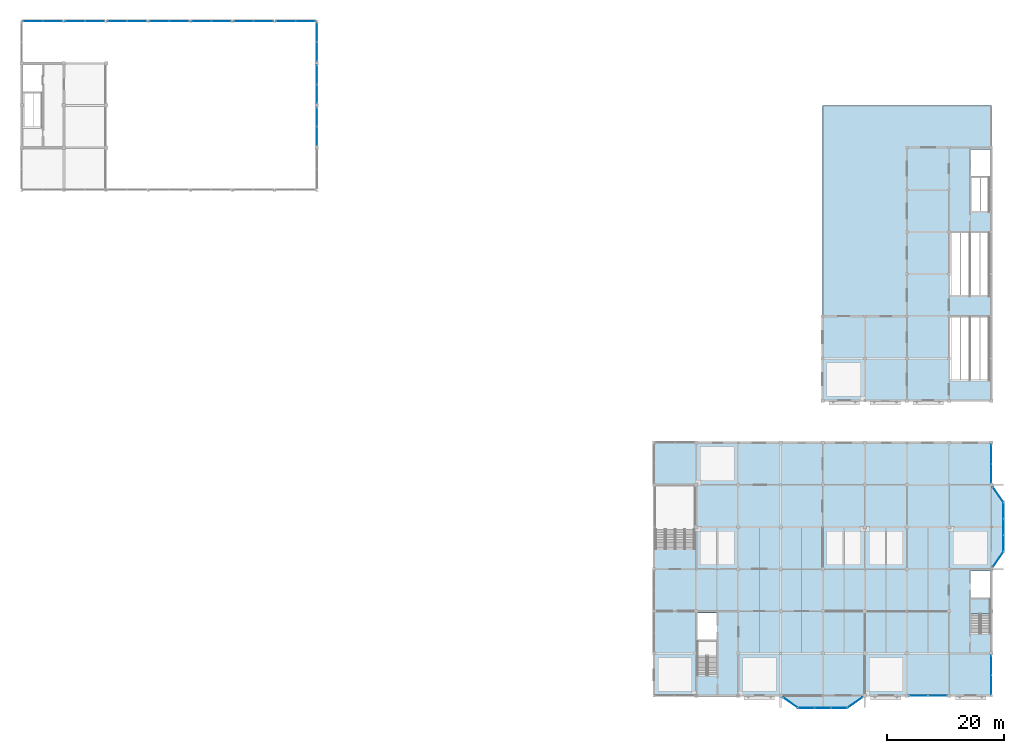
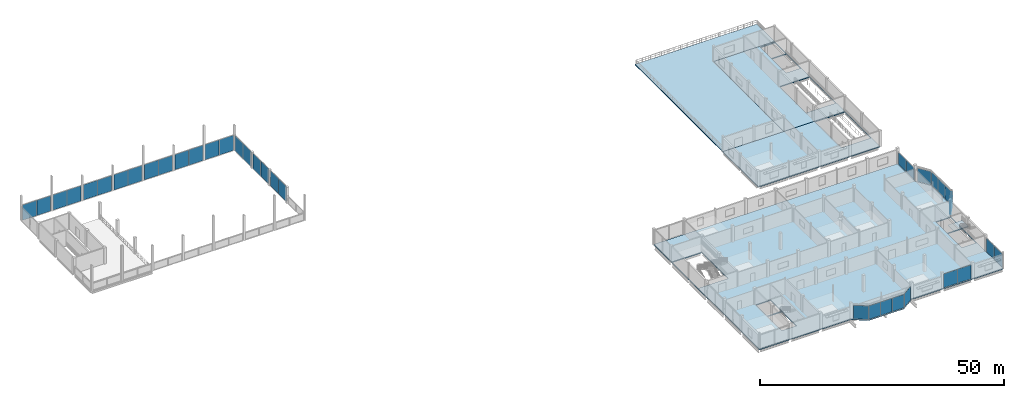
# One storey, part 34 of 51: 36 plates, 5 slabs, 20 elements without a shape of their own.
"""IFC4 building model written with IfcOpenShell, lengths in metres."""

from ifc_helpers import new_model, si_unit, direction, frame, origin, origin_2d, place, context, subcontext, project, spatial, polyline, rectangle, outline, extrude, material, layer, layer_set, type_object, element, aggregate, save


model = new_model("IFC4")

# Units and contexts
model_context = context("Model", 3, precision=1e-05, world=origin(), true_north=direction((0.0, 1.0)))
body_context = subcontext(model_context, "Body", "Model", "MODEL_VIEW")
ifc_project = project(units=[si_unit("LENGTHUNIT", "METRE"), si_unit("AREAUNIT", "SQUARE_METRE"), si_unit("VOLUMEUNIT", "CUBIC_METRE"), si_unit("PLANEANGLEUNIT", "RADIAN"), si_unit("MASSUNIT", "GRAM", prefix="KILO")], contexts=[model_context])

# Site, building, storey
site_placement = place(None, origin())
site = spatial("IfcSite", under=ifc_project, at=site_placement, CompositionType="ELEMENT")
building_placement = place(site_placement, origin())
building = spatial("IfcBuilding", under=site, at=building_placement, Name="Vesperath Aquatics Centre", CompositionType="ELEMENT")
storey_placement = place(building_placement, frame((0.0, 0.0, 15.0)))
storey = spatial("IfcBuildingStorey", under=building, at=storey_placement, Name="L03", CompositionType="ELEMENT", Elevation=15.0)

# Curtain wall, plate
ifc_material_1 = material(Name="Thermally broken anodised bronze aluminium curtain wall", Category="aluminium")
curtain_wall_type_1 = type_object("IfcCurtainWallType", Name="CW-03", PredefinedType="NOTDEFINED", material=ifc_material_1)
curtain_wall_1_placement = place(storey_placement, origin())
curtain_wall_1 = element("IfcCurtainWall", 1, at=curtain_wall_1_placement, inside=storey, type_object=curtain_wall_type_1, Name="South Boulevard Bow Oriel Curtain Wall L03-W", PredefinedType="NOTDEFINED")
ifc_material_2 = material(Name="Triple low-E argon insulated vision glass", Category="glass")
ifc_layer_1 = layer(ifc_material_2, 0.035888671875)
ifc_layer_set_1 = layer_set([ifc_layer_1], Name="Triple low-E argon insulated vision glass")
plate_type_1 = type_object("IfcPlateType", Name="PT-CWP03", PredefinedType="CURTAIN_PANEL", material=ifc_layer_set_1)
plate_1_placement = place(storey_placement, frame((138.489990234375, -1.18310546875, 0.06982421875), z_axis=(0.0, 0.0, 1.0), x_axis=(0.819231920515, -0.57346234437, 0.0)))
plate_1 = element("IfcPlate", 2, at=plate_1_placement, type_object=plate_type_1, Name="CW03 panel 1.1", PredefinedType="CURTAIN_PANEL", context=body_context, shape_type="SweptSolid", body=[
    extrude(rectangle(XDim=3.05810546875, YDim=0.035888671875, at=origin_2d()), origin(), (0.0, 0.0, 1.0), 3.3701171875),
])
aggregate(curtain_wall_1, [plate_1])

# Curtain wall, plates
curtain_wall_2_placement = place(storey_placement, origin())
curtain_wall_2 = element("IfcCurtainWall", 3, at=curtain_wall_2_placement, inside=storey, type_object=curtain_wall_type_1, Name="South Boulevard Bow Oriel Curtain Wall L03-C", PredefinedType="NOTDEFINED")
plate_2_placement = place(storey_placement, frame((141.217529296875, -2.10009765625, 0.06982421875), z_axis=(0.0, 0.0, 1.0), x_axis=(1.0, 0.0, 0.0)))
plate_2 = element("IfcPlate", 4, at=plate_2_placement, type_object=plate_type_1, Name="CW03 panel 1.1", PredefinedType="CURTAIN_PANEL", context=body_context, shape_type="SweptSolid", body=[
    extrude(rectangle(XDim=2.695068359375, YDim=0.035888671875, at=origin_2d()), origin(), (0.0, 0.0, 1.0), 3.3701171875),
])
plate_3_placement = place(storey_placement, frame((144.0, -2.10009765625, 0.06982421875), z_axis=(0.0, 0.0, 1.0), x_axis=(1.0, 0.0, 0.0)))
plate_3 = element("IfcPlate", 5, at=plate_3_placement, type_object=plate_type_1, Name="CW03 panel 2.1", PredefinedType="CURTAIN_PANEL", context=body_context, shape_type="SweptSolid", body=[
    extrude(rectangle(XDim=2.72998046875, YDim=0.035888671875, at=origin_2d()), origin(), (0.0, 0.0, 1.0), 3.3701171875),
])
plate_4_placement = place(storey_placement, frame((146.782470703125, -2.10009765625, 0.06982421875), z_axis=(0.0, 0.0, 1.0), x_axis=(1.0, 0.0, 0.0)))
plate_4 = element("IfcPlate", 6, at=plate_4_placement, type_object=plate_type_1, Name="CW03 panel 3.1", PredefinedType="CURTAIN_PANEL", context=body_context, shape_type="SweptSolid", body=[
    extrude(rectangle(XDim=2.695068359375, YDim=0.035888671875, at=origin_2d()), origin(), (0.0, 0.0, 1.0), 3.3701171875),
])
aggregate(curtain_wall_2, [plate_2, plate_3, plate_4])

# Curtain wall, plate
curtain_wall_3_placement = place(storey_placement, origin())
curtain_wall_3 = element("IfcCurtainWall", 7, at=curtain_wall_3_placement, inside=storey, type_object=curtain_wall_type_1, Name="South Boulevard Bow Oriel Curtain Wall L03-E", PredefinedType="NOTDEFINED")
plate_5_placement = place(storey_placement, frame((149.510009765625, -1.18310546875, 0.06982421875), z_axis=(0.0, 0.0, 1.0), x_axis=(0.819231920515, 0.57346234437, 0.0)))
plate_5 = element("IfcPlate", 8, at=plate_5_placement, type_object=plate_type_1, Name="CW03 panel 1.1", PredefinedType="CURTAIN_PANEL", context=body_context, shape_type="SweptSolid", body=[
    extrude(rectangle(XDim=3.05810546875, YDim=0.035888671875, at=origin_2d()), origin(), (0.0, 0.0, 1.0), 3.3701171875),
])
aggregate(curtain_wall_3, [plate_5])

# Curtain wall, plates
curtain_wall_type_2 = type_object("IfcCurtainWallType", Name="CW-04", PredefinedType="NOTDEFINED", material=ifc_material_1)
curtain_wall_4_placement = place(storey_placement, origin())
curtain_wall_4 = element("IfcCurtainWall", 9, at=curtain_wall_4_placement, inside=storey, type_object=curtain_wall_type_2, Name="Facade Curtain Wall CW04 L03_N_01_16", PredefinedType="NOTDEFINED")
ifc_layer_2 = layer(ifc_material_2, 0.0380859375)
ifc_layer_set_2 = layer_set([ifc_layer_2], Name="Triple low-E argon insulated vision glass")
plate_type_2 = type_object("IfcPlateType", Name="PT-CWP04", PredefinedType="CURTAIN_PANEL", material=ifc_layer_set_2)
plate_6_placement = place(storey_placement, frame((9.117431640625, 115.199951171875, 0.06982421875), z_axis=(0.0, 0.0, 1.0), x_axis=(1.0, 0.0, 0.0)))
plate_6 = element("IfcPlate", 10, at=plate_6_placement, type_object=plate_type_2, Name="CW04 panel 1.1", PredefinedType="CURTAIN_PANEL", context=body_context, shape_type="SweptSolid", body=[
    extrude(rectangle(XDim=3.294921875, YDim=0.0380859375, at=origin_2d()), origin(), (0.0, 0.0, 1.0), 3.820068359375),
])
plate_7_placement = place(storey_placement, frame((12.482421875, 115.199951171875, 0.06982421875), z_axis=(0.0, 0.0, 1.0), x_axis=(1.0, 0.0, 0.0)))
plate_7 = element("IfcPlate", 11, at=plate_7_placement, type_object=plate_type_2, Name="CW04 panel 2.1", PredefinedType="CURTAIN_PANEL", context=body_context, shape_type="SweptSolid", body=[
    extrude(rectangle(XDim=3.294921875, YDim=0.0380859375, at=origin_2d()), origin(), (0.0, 0.0, 1.0), 3.820068359375),
])
aggregate(curtain_wall_4, [plate_6, plate_7])

curtain_wall_5_placement = place(storey_placement, origin())
curtain_wall_5 = element("IfcCurtainWall", 12, at=curtain_wall_5_placement, inside=storey, type_object=curtain_wall_type_2, Name="Facade Curtain Wall CW04 L03_N_02_16", PredefinedType="NOTDEFINED")
plate_8_placement = place(storey_placement, frame((16.3173828125, 115.199951171875, 0.06982421875), z_axis=(0.0, 0.0, 1.0), x_axis=(1.0, 0.0, 0.0)))
plate_8 = element("IfcPlate", 13, at=plate_8_placement, type_object=plate_type_2, Name="CW04 panel 1.1", PredefinedType="CURTAIN_PANEL", context=body_context, shape_type="SweptSolid", body=[
    extrude(rectangle(XDim=3.294921875, YDim=0.0380859375, at=origin_2d()), origin(), (0.0, 0.0, 1.0), 3.820068359375),
])
plate_9_placement = place(storey_placement, frame((19.6826171875, 115.199951171875, 0.06982421875), z_axis=(0.0, 0.0, 1.0), x_axis=(1.0, 0.0, 0.0)))
plate_9 = element("IfcPlate", 14, at=plate_9_placement, type_object=plate_type_2, Name="CW04 panel 2.1", PredefinedType="CURTAIN_PANEL", context=body_context, shape_type="SweptSolid", body=[
    extrude(rectangle(XDim=3.294921875, YDim=0.0380859375, at=origin_2d()), origin(), (0.0, 0.0, 1.0), 3.820068359375),
])
aggregate(curtain_wall_5, [plate_8, plate_9])

curtain_wall_6_placement = place(storey_placement, origin())
curtain_wall_6 = element("IfcCurtainWall", 15, at=curtain_wall_6_placement, inside=storey, type_object=curtain_wall_type_2, Name="Facade Curtain Wall CW04 L03_N_03_16", PredefinedType="NOTDEFINED")
plate_10_placement = place(storey_placement, frame((23.517578125, 115.199951171875, 0.06982421875), z_axis=(0.0, 0.0, 1.0), x_axis=(1.0, 0.0, 0.0)))
plate_10 = element("IfcPlate", 16, at=plate_10_placement, type_object=plate_type_2, Name="CW04 panel 1.1", PredefinedType="CURTAIN_PANEL", context=body_context, shape_type="SweptSolid", body=[
    extrude(rectangle(XDim=3.294921875, YDim=0.0380859375, at=origin_2d()), origin(), (0.0, 0.0, 1.0), 3.820068359375),
])
plate_11_placement = place(storey_placement, frame((26.882568359375, 115.199951171875, 0.06982421875), z_axis=(0.0, 0.0, 1.0), x_axis=(1.0, 0.0, 0.0)))
plate_11 = element("IfcPlate", 17, at=plate_11_placement, type_object=plate_type_2, Name="CW04 panel 2.1", PredefinedType="CURTAIN_PANEL", context=body_context, shape_type="SweptSolid", body=[
    extrude(rectangle(XDim=3.294921875, YDim=0.0380859375, at=origin_2d()), origin(), (0.0, 0.0, 1.0), 3.820068359375),
])
aggregate(curtain_wall_6, [plate_10, plate_11])

curtain_wall_7_placement = place(storey_placement, origin())
curtain_wall_7 = element("IfcCurtainWall", 18, at=curtain_wall_7_placement, inside=storey, type_object=curtain_wall_type_2, Name="Facade Curtain Wall CW04 L03_N_04_16", PredefinedType="NOTDEFINED")
plate_12_placement = place(storey_placement, frame((30.717529296875, 115.199951171875, 0.06982421875), z_axis=(0.0, 0.0, 1.0), x_axis=(1.0, 0.0, 0.0)))
plate_12 = element("IfcPlate", 19, at=plate_12_placement, type_object=plate_type_2, Name="CW04 panel 1.1", PredefinedType="CURTAIN_PANEL", context=body_context, shape_type="SweptSolid", body=[
    extrude(rectangle(XDim=3.294921875, YDim=0.0380859375, at=origin_2d()), origin(), (0.0, 0.0, 1.0), 3.820068359375),
])
plate_13_placement = place(storey_placement, frame((34.08251953125, 115.199951171875, 0.06982421875), z_axis=(0.0, 0.0, 1.0), x_axis=(1.0, 0.0, 0.0)))
plate_13 = element("IfcPlate", 20, at=plate_13_placement, type_object=plate_type_2, Name="CW04 panel 2.1", PredefinedType="CURTAIN_PANEL", context=body_context, shape_type="SweptSolid", body=[
    extrude(rectangle(XDim=3.294921875, YDim=0.0380859375, at=origin_2d()), origin(), (0.0, 0.0, 1.0), 3.820068359375),
])
aggregate(curtain_wall_7, [plate_12, plate_13])

curtain_wall_8_placement = place(storey_placement, origin())
curtain_wall_8 = element("IfcCurtainWall", 21, at=curtain_wall_8_placement, inside=storey, type_object=curtain_wall_type_2, Name="Facade Curtain Wall CW04 L03_N_05_16", PredefinedType="NOTDEFINED")
plate_14_placement = place(storey_placement, frame((37.91748046875, 115.199951171875, 0.06982421875), z_axis=(0.0, 0.0, 1.0), x_axis=(1.0, 0.0, 0.0)))
plate_14 = element("IfcPlate", 22, at=plate_14_placement, type_object=plate_type_2, Name="CW04 panel 1.1", PredefinedType="CURTAIN_PANEL", context=body_context, shape_type="SweptSolid", body=[
    extrude(rectangle(XDim=3.294921875, YDim=0.0380859375, at=origin_2d()), origin(), (0.0, 0.0, 1.0), 3.820068359375),
])
plate_15_placement = place(storey_placement, frame((41.282470703125, 115.199951171875, 0.06982421875), z_axis=(0.0, 0.0, 1.0), x_axis=(1.0, 0.0, 0.0)))
plate_15 = element("IfcPlate", 23, at=plate_15_placement, type_object=plate_type_2, Name="CW04 panel 2.1", PredefinedType="CURTAIN_PANEL", context=body_context, shape_type="SweptSolid", body=[
    extrude(rectangle(XDim=3.294921875, YDim=0.0380859375, at=origin_2d()), origin(), (0.0, 0.0, 1.0), 3.820068359375),
])
aggregate(curtain_wall_8, [plate_14, plate_15])

curtain_wall_9_placement = place(storey_placement, origin())
curtain_wall_9 = element("IfcCurtainWall", 24, at=curtain_wall_9_placement, inside=storey, type_object=curtain_wall_type_2, Name="Facade Curtain Wall CW04 L03_N_06_16", PredefinedType="NOTDEFINED")
plate_16_placement = place(storey_placement, frame((45.117431640625, 115.199951171875, 0.06982421875), z_axis=(0.0, 0.0, 1.0), x_axis=(1.0, 0.0, 0.0)))
plate_16 = element("IfcPlate", 25, at=plate_16_placement, type_object=plate_type_2, Name="CW04 panel 1.1", PredefinedType="CURTAIN_PANEL", context=body_context, shape_type="SweptSolid", body=[
    extrude(rectangle(XDim=3.294921875, YDim=0.0380859375, at=origin_2d()), origin(), (0.0, 0.0, 1.0), 3.820068359375),
])
plate_17_placement = place(storey_placement, frame((48.482421875, 115.199951171875, 0.06982421875), z_axis=(0.0, 0.0, 1.0), x_axis=(1.0, 0.0, 0.0)))
plate_17 = element("IfcPlate", 26, at=plate_17_placement, type_object=plate_type_2, Name="CW04 panel 2.1", PredefinedType="CURTAIN_PANEL", context=body_context, shape_type="SweptSolid", body=[
    extrude(rectangle(XDim=3.294921875, YDim=0.0380859375, at=origin_2d()), origin(), (0.0, 0.0, 1.0), 3.820068359375),
])
aggregate(curtain_wall_9, [plate_16, plate_17])

curtain_wall_10_placement = place(storey_placement, origin())
curtain_wall_10 = element("IfcCurtainWall", 27, at=curtain_wall_10_placement, inside=storey, type_object=curtain_wall_type_2, Name="Facade Curtain Wall CW04 L03_N_07_16", PredefinedType="NOTDEFINED")
plate_18_placement = place(storey_placement, frame((52.3173828125, 115.199951171875, 0.06982421875), z_axis=(0.0, 0.0, 1.0), x_axis=(1.0, 0.0, 0.0)))
plate_18 = element("IfcPlate", 28, at=plate_18_placement, type_object=plate_type_2, Name="CW04 panel 1.1", PredefinedType="CURTAIN_PANEL", context=body_context, shape_type="SweptSolid", body=[
    extrude(rectangle(XDim=3.294921875, YDim=0.0380859375, at=origin_2d()), origin(), (0.0, 0.0, 1.0), 3.820068359375),
])
plate_19_placement = place(storey_placement, frame((55.6826171875, 115.199951171875, 0.06982421875), z_axis=(0.0, 0.0, 1.0), x_axis=(1.0, 0.0, 0.0)))
plate_19 = element("IfcPlate", 29, at=plate_19_placement, type_object=plate_type_2, Name="CW04 panel 2.1", PredefinedType="CURTAIN_PANEL", context=body_context, shape_type="SweptSolid", body=[
    extrude(rectangle(XDim=3.294921875, YDim=0.0380859375, at=origin_2d()), origin(), (0.0, 0.0, 1.0), 3.820068359375),
])
aggregate(curtain_wall_10, [plate_18, plate_19])

curtain_wall_11_placement = place(storey_placement, origin())
curtain_wall_11 = element("IfcCurtainWall", 30, at=curtain_wall_11_placement, inside=storey, type_object=curtain_wall_type_2, Name="Facade Curtain Wall CW04 L03_E_08_13", PredefinedType="NOTDEFINED")
plate_20_placement = place(storey_placement, frame((57.60009765625, 95.5673828125, 0.06982421875), z_axis=(0.0, 0.0, 1.0), x_axis=(0.0, 1.0, 0.0)))
plate_20 = element("IfcPlate", 31, at=plate_20_placement, type_object=plate_type_2, Name="CW04 panel 1.1", PredefinedType="CURTAIN_PANEL", context=body_context, shape_type="SweptSolid", body=[
    extrude(rectangle(XDim=3.195068359375, YDim=0.0380859375, at=origin_2d()), origin(), (0.0, 0.0, 1.0), 3.820068359375),
])
plate_21_placement = place(storey_placement, frame((57.60009765625, 98.83251953125, 0.06982421875), z_axis=(0.0, 0.0, 1.0), x_axis=(0.0, 1.0, 0.0)))
plate_21 = element("IfcPlate", 32, at=plate_21_placement, type_object=plate_type_2, Name="CW04 panel 2.1", PredefinedType="CURTAIN_PANEL", context=body_context, shape_type="SweptSolid", body=[
    extrude(rectangle(XDim=3.195068359375, YDim=0.0380859375, at=origin_2d()), origin(), (0.0, 0.0, 1.0), 3.820068359375),
])
aggregate(curtain_wall_11, [plate_20, plate_21])

curtain_wall_12_placement = place(storey_placement, origin())
curtain_wall_12 = element("IfcCurtainWall", 33, at=curtain_wall_12_placement, inside=storey, type_object=curtain_wall_type_2, Name="Facade Curtain Wall CW04 L03_E_08_14", PredefinedType="NOTDEFINED")
plate_22_placement = place(storey_placement, frame((57.60009765625, 102.767578125, 0.06982421875), z_axis=(0.0, 0.0, 1.0), x_axis=(0.0, 1.0, 0.0)))
plate_22 = element("IfcPlate", 34, at=plate_22_placement, type_object=plate_type_2, Name="CW04 panel 1.1", PredefinedType="CURTAIN_PANEL", context=body_context, shape_type="SweptSolid", body=[
    extrude(rectangle(XDim=3.195068359375, YDim=0.0380859375, at=origin_2d()), origin(), (0.0, 0.0, 1.0), 3.820068359375),
])
plate_23_placement = place(storey_placement, frame((57.60009765625, 106.032470703125, 0.06982421875), z_axis=(0.0, 0.0, 1.0), x_axis=(0.0, 1.0, 0.0)))
plate_23 = element("IfcPlate", 35, at=plate_23_placement, type_object=plate_type_2, Name="CW04 panel 2.1", PredefinedType="CURTAIN_PANEL", context=body_context, shape_type="SweptSolid", body=[
    extrude(rectangle(XDim=3.195068359375, YDim=0.0380859375, at=origin_2d()), origin(), (0.0, 0.0, 1.0), 3.820068359375),
])
aggregate(curtain_wall_12, [plate_22, plate_23])

curtain_wall_13_placement = place(storey_placement, origin())
curtain_wall_13 = element("IfcCurtainWall", 36, at=curtain_wall_13_placement, inside=storey, type_object=curtain_wall_type_2, Name="Facade Curtain Wall CW04 L03_E_08_15", PredefinedType="NOTDEFINED")
plate_24_placement = place(storey_placement, frame((57.60009765625, 109.992431640625, 0.06982421875), z_axis=(0.0, 0.0, 1.0), x_axis=(0.0, 1.0, 0.0)))
plate_24 = element("IfcPlate", 37, at=plate_24_placement, type_object=plate_type_2, Name="CW04 panel 1.1", PredefinedType="CURTAIN_PANEL", context=body_context, shape_type="SweptSolid", body=[
    extrude(rectangle(XDim=3.2451171875, YDim=0.0380859375, at=origin_2d()), origin(), (0.0, 0.0, 1.0), 3.820068359375),
])
plate_25_placement = place(storey_placement, frame((57.60009765625, 113.3076171875, 0.06982421875), z_axis=(0.0, 0.0, 1.0), x_axis=(0.0, 1.0, 0.0)))
plate_25 = element("IfcPlate", 38, at=plate_25_placement, type_object=plate_type_2, Name="CW04 panel 2.1", PredefinedType="CURTAIN_PANEL", context=body_context, shape_type="SweptSolid", body=[
    extrude(rectangle(XDim=3.2451171875, YDim=0.0380859375, at=origin_2d()), origin(), (0.0, 0.0, 1.0), 3.820068359375),
])
aggregate(curtain_wall_13, [plate_24, plate_25])

curtain_wall_type_3 = type_object("IfcCurtainWallType", Name="CW-07", PredefinedType="NOTDEFINED", material=ifc_material_1)
curtain_wall_14_placement = place(storey_placement, origin())
curtain_wall_14 = element("IfcCurtainWall", 39, at=curtain_wall_14_placement, inside=storey, type_object=curtain_wall_type_3, Name="Facade Curtain Wall CW07 L03_S_22_00", PredefinedType="NOTDEFINED")
ifc_layer_3 = layer(ifc_material_2, 0.035888671875)
ifc_layer_set_3 = layer_set([ifc_layer_3], Name="Triple low-E argon insulated vision glass")
plate_type_3 = type_object("IfcPlateType", Name="PT-CWP06", PredefinedType="CURTAIN_PANEL", material=ifc_layer_set_3)
plate_26_placement = place(storey_placement, frame((160.367431640625, 0.0, 0.070068359375), z_axis=(0.0, 0.0, 1.0), x_axis=(1.0, 0.0, 0.0)))
plate_26 = element("IfcPlate", 40, at=plate_26_placement, type_object=plate_type_3, Name="CW07 panel 1.1", PredefinedType="CURTAIN_PANEL", context=body_context, shape_type="SweptSolid", body=[
    extrude(rectangle(XDim=3.195068359375, YDim=0.035888671875, at=origin_2d()), origin(), (0.0, 0.0, 1.0), 3.47998046875),
])
plate_27_placement = place(storey_placement, frame((163.632568359375, 0.0, 0.070068359375), z_axis=(0.0, 0.0, 1.0), x_axis=(1.0, 0.0, 0.0)))
plate_27 = element("IfcPlate", 41, at=plate_27_placement, type_object=plate_type_3, Name="CW07 panel 2.1", PredefinedType="CURTAIN_PANEL", context=body_context, shape_type="SweptSolid", body=[
    extrude(rectangle(XDim=3.195068359375, YDim=0.035888671875, at=origin_2d()), origin(), (0.0, 0.0, 1.0), 3.47998046875),
])
aggregate(curtain_wall_14, [plate_26, plate_27])

curtain_wall_15_placement = place(storey_placement, origin())
curtain_wall_15 = element("IfcCurtainWall", 42, at=curtain_wall_15_placement, inside=storey, type_object=curtain_wall_type_3, Name="Facade Curtain Wall CW07 L03_E_24_00", PredefinedType="NOTDEFINED")
plate_28_placement = place(storey_placement, frame((172.800048828125, 1.873779296875, 0.06982421875), z_axis=(0.0, 0.0, 1.0), x_axis=(0.0, 1.0, 0.0)))
plate_28 = element("IfcPlate", 43, at=plate_28_placement, type_object=plate_type_3, Name="CW07 panel 1.1", PredefinedType="CURTAIN_PANEL", context=body_context, shape_type="SweptSolid", body=[
    extrude(rectangle(XDim=3.257568359375, YDim=0.035888671875, at=origin_2d()), origin(), (0.0, 0.0, 1.0), 3.429931640625),
])
plate_29_placement = place(storey_placement, frame((172.800048828125, 5.201171875, 0.06982421875), z_axis=(0.0, 0.0, 1.0), x_axis=(0.0, 1.0, 0.0)))
plate_29 = element("IfcPlate", 44, at=plate_29_placement, type_object=plate_type_3, Name="CW07 panel 2.1", PredefinedType="CURTAIN_PANEL", context=body_context, shape_type="SweptSolid", body=[
    extrude(rectangle(XDim=3.257568359375, YDim=0.035888671875, at=origin_2d()), origin(), (0.0, 0.0, 1.0), 3.429931640625),
])
aggregate(curtain_wall_15, [plate_28, plate_29])

curtain_wall_16_placement = place(storey_placement, origin())
curtain_wall_16 = element("IfcCurtainWall", 45, at=curtain_wall_16_placement, inside=storey, type_object=curtain_wall_type_3, Name="Facade Curtain Wall CW07 L03_E_24_05", PredefinedType="NOTDEFINED")
plate_30_placement = place(storey_placement, frame((172.800048828125, 37.967529296875, 0.070068359375), z_axis=(0.0, 0.0, 1.0), x_axis=(0.0, 1.0, 0.0)))
plate_30 = element("IfcPlate", 46, at=plate_30_placement, type_object=plate_type_3, Name="CW07 panel 1.1", PredefinedType="CURTAIN_PANEL", context=body_context, shape_type="SweptSolid", body=[
    extrude(rectangle(XDim=3.195068359375, YDim=0.035888671875, at=origin_2d()), origin(), (0.0, 0.0, 1.0), 3.02001953125),
])
plate_31_placement = place(storey_placement, frame((172.800048828125, 41.232421875, 0.070068359375), z_axis=(0.0, 0.0, 1.0), x_axis=(0.0, 1.0, 0.0)))
plate_31 = element("IfcPlate", 47, at=plate_31_placement, type_object=plate_type_3, Name="CW07 panel 2.1", PredefinedType="CURTAIN_PANEL", context=body_context, shape_type="SweptSolid", body=[
    extrude(rectangle(XDim=3.195068359375, YDim=0.035888671875, at=origin_2d()), origin(), (0.0, 0.0, 1.0), 3.02001953125),
])
aggregate(curtain_wall_16, [plate_30, plate_31])

# Curtain wall, plate
curtain_wall_17_placement = place(storey_placement, origin())
curtain_wall_17 = element("IfcCurtainWall", 48, at=curtain_wall_17_placement, inside=storey, type_object=curtain_wall_type_3, Name="East Avenue Bow Oriel Curtain Wall L03-S", PredefinedType="NOTDEFINED")
plate_32_placement = place(storey_placement, frame((173.98291015625, 23.2900390625, 0.06982421875), z_axis=(0.0, 0.0, 1.0), x_axis=(0.57346234437, 0.819231920515, 0.0)))
plate_32 = element("IfcPlate", 49, at=plate_32_placement, type_object=plate_type_3, Name="CW07 panel 1.1", PredefinedType="CURTAIN_PANEL", context=body_context, shape_type="SweptSolid", body=[
    extrude(rectangle(XDim=3.05810546875, YDim=0.035888671875, at=origin_2d()), origin(), (0.0, 0.0, 1.0), 3.3701171875),
])
aggregate(curtain_wall_17, [plate_32])

# Curtain wall, plates
curtain_wall_18_placement = place(storey_placement, origin())
curtain_wall_18 = element("IfcCurtainWall", 50, at=curtain_wall_18_placement, inside=storey, type_object=curtain_wall_type_3, Name="East Avenue Bow Oriel Curtain Wall L03-C", PredefinedType="NOTDEFINED")
plate_33_placement = place(storey_placement, frame((174.89990234375, 26.017578125, 0.06982421875), z_axis=(0.0, 0.0, 1.0), x_axis=(0.0, 1.0, 0.0)))
plate_33 = element("IfcPlate", 51, at=plate_33_placement, type_object=plate_type_3, Name="CW07 panel 1.1", PredefinedType="CURTAIN_PANEL", context=body_context, shape_type="SweptSolid", body=[
    extrude(rectangle(XDim=2.695068359375, YDim=0.035888671875, at=origin_2d()), origin(), (0.0, 0.0, 1.0), 3.3701171875),
])
plate_34_placement = place(storey_placement, frame((174.89990234375, 28.800048828125, 0.06982421875), z_axis=(0.0, 0.0, 1.0), x_axis=(0.0, 1.0, 0.0)))
plate_34 = element("IfcPlate", 52, at=plate_34_placement, type_object=plate_type_3, Name="CW07 panel 2.1", PredefinedType="CURTAIN_PANEL", context=body_context, shape_type="SweptSolid", body=[
    extrude(rectangle(XDim=2.72998046875, YDim=0.035888671875, at=origin_2d()), origin(), (0.0, 0.0, 1.0), 3.3701171875),
])
plate_35_placement = place(storey_placement, frame((174.89990234375, 31.58251953125, 0.06982421875), z_axis=(0.0, 0.0, 1.0), x_axis=(0.0, 1.0, 0.0)))
plate_35 = element("IfcPlate", 53, at=plate_35_placement, type_object=plate_type_3, Name="CW07 panel 3.1", PredefinedType="CURTAIN_PANEL", context=body_context, shape_type="SweptSolid", body=[
    extrude(rectangle(XDim=2.695068359375, YDim=0.035888671875, at=origin_2d()), origin(), (0.0, 0.0, 1.0), 3.3701171875),
])
aggregate(curtain_wall_18, [plate_33, plate_34, plate_35])

# Curtain wall, plate
curtain_wall_19_placement = place(storey_placement, origin())
curtain_wall_19 = element("IfcCurtainWall", 54, at=curtain_wall_19_placement, inside=storey, type_object=curtain_wall_type_3, Name="East Avenue Bow Oriel Curtain Wall L03-N", PredefinedType="NOTDEFINED")
plate_36_placement = place(storey_placement, frame((173.98291015625, 34.31005859375, 0.06982421875), z_axis=(0.0, 0.0, 1.0), x_axis=(-0.57346234437, 0.819231920515, 0.0)))
plate_36 = element("IfcPlate", 55, at=plate_36_placement, type_object=plate_type_3, Name="CW07 panel 1.1", PredefinedType="CURTAIN_PANEL", context=body_context, shape_type="SweptSolid", body=[
    extrude(rectangle(XDim=3.05810546875, YDim=0.035888671875, at=origin_2d()), origin(), (0.0, 0.0, 1.0), 3.3701171875),
])
aggregate(curtain_wall_19, [plate_36])

# Slabs
ifc_material_3 = material(Name="Concrete C35", Category="concrete")
ifc_layer_4 = layer(ifc_material_3, 0.239990234375)
ifc_layer_set_4 = layer_set([ifc_layer_4], Name="Concrete C35")
slab_type_1 = type_object("IfcSlabType", Name="SL-FL03", PredefinedType="FLOOR", material=ifc_layer_set_4)
slab_1_placement = place(storey_placement, frame((0.0, 0.0, -0.239990234375)))
element("IfcSlab", 56, at=slab_1_placement, inside=storey, type_object=slab_type_1, Name="Conservatory Tea Salon Slab SL03 L03", PredefinedType="FLOOR", context=body_context, shape_type="SweptSolid", body=[
    extrude(outline(polyline([(144.0, 50.39990234375), (172.800048828125, 50.39990234375), (172.800048828125, 64.800048828125), (144.0, 64.800048828125), (144.0, 50.39990234375)]), holes=[polyline([(165.679931640625, 53.85009765625), (172.719970703125, 53.85009765625), (172.719970703125, 64.719970703125), (165.679931640625, 64.719970703125), (165.679931640625, 53.85009765625)])]), origin(), (0.0, 0.0, 1.0), 0.239990234375),
])
slab_2_placement = place(storey_placement, frame((0.0, 0.0, -0.239990234375)))
element("IfcSlab", 57, at=slab_2_placement, inside=storey, type_object=slab_type_1, Name="East Core Lobby Slab SL03 L03", PredefinedType="FLOOR", context=body_context, shape_type="SweptSolid", body=[
    extrude(outline(polyline([(158.39990234375, 64.800048828125), (172.800048828125, 64.800048828125), (172.800048828125, 93.60009765625), (158.39990234375, 93.60009765625), (158.39990234375, 64.800048828125)]), holes=[polyline([(169.260009765625, 82.64990234375), (172.719970703125, 82.64990234375), (172.719970703125, 88.56005859375), (169.260009765625, 88.56005859375), (169.260009765625, 82.64990234375)]), polyline([(169.260009765625, 88.739990234375), (172.719970703125, 88.739990234375), (172.719970703125, 93.280029296875), (169.260009765625, 93.280029296875), (169.260009765625, 88.739990234375)]), polyline([(165.679931640625, 68.25), (172.719970703125, 68.25), (172.719970703125, 79.1201171875), (165.679931640625, 79.1201171875), (165.679931640625, 68.25)])]), origin(), (0.0, 0.0, 1.0), 0.239990234375),
])
slab_3_placement = place(storey_placement, frame((0.0, 0.0, -0.239990234375)))
element("IfcSlab", 58, at=slab_3_placement, inside=storey, type_object=slab_type_1, Name="Studios and Sports Medicine Slab SL03 L03", PredefinedType="FLOOR", context=body_context, shape_type="SweptSolid", body=[
    extrude(outline(polyline([(115.199951171875, 0.0), (136.800048828125, 0.0), (139.800048828125, -2.10009765625), (148.199951171875, -2.10009765625), (151.199951171875, 0.0), (172.800048828125, 0.0), (172.800048828125, 21.60009765625), (174.89990234375, 24.60009765625), (174.89990234375, 33.0), (172.800048828125, 36.0), (172.800048828125, 43.199951171875), (115.199951171875, 43.199951171875), (115.199951171875, 0.0)]), holes=[polyline([(122.47998046875, 3.449951171875), (125.93994140625, 3.449951171875), (125.93994140625, 9.360107421875), (122.47998046875, 9.360107421875), (122.47998046875, 3.449951171875)]), polyline([(122.47998046875, 9.5400390625), (125.93994140625, 9.5400390625), (125.93994140625, 14.080078125), (122.47998046875, 14.080078125), (122.47998046875, 9.5400390625)]), polyline([(169.260009765625, 10.64990234375), (172.719970703125, 10.64990234375), (172.719970703125, 16.56005859375), (169.260009765625, 16.56005859375), (169.260009765625, 10.64990234375)]), polyline([(169.260009765625, 16.739990234375), (172.719970703125, 16.739990234375), (172.719970703125, 21.280029296875), (169.260009765625, 21.280029296875), (169.260009765625, 16.739990234375)]), polyline([(115.280029296875, 25.050048828125), (122.320068359375, 25.050048828125), (122.320068359375, 35.919921875), (115.280029296875, 35.919921875), (115.280029296875, 25.050048828125)])]), origin(), (0.0, 0.0, 1.0), 0.239990234375),
])

# Stair, slab
stair_type = type_object("IfcStairType", Name="ST-HT42", PredefinedType="HALF_TURN_STAIR", material=ifc_material_3)
stair_placement = place(storey_placement, origin())
stair = element("IfcStair", 59, at=stair_placement, inside=storey, type_object=stair_type, Name="Enclosed Exit Stair ST6 L03", PredefinedType="HALF_TURN_STAIR")
ifc_layer_5 = layer(ifc_material_3, 0.18994140625)
ifc_layer_set_5 = layer_set([ifc_layer_5], Name="Concrete C35")
slab_type_2 = type_object("IfcSlabType", Name="SL-LND2", PredefinedType="LANDING", material=ifc_layer_set_5)
slab_4_placement = place(storey_placement, frame((0.0, 0.0, 1.909912109375)))
slab_4 = element("IfcSlab", 60, at=slab_4_placement, type_object=slab_type_2, Name="Stair ST6 Half-Landing L03", PredefinedType="LANDING", context=body_context, shape_type="SweptSolid", body=[
    extrude(outline(polyline([(169.280029296875, 13.97998046875), (172.7099609375, 13.97998046875), (172.7099609375, 16.5), (169.280029296875, 16.5), (169.280029296875, 13.97998046875)])), origin(), (0.0, 0.0, 1.0), 0.190185546875),
])
aggregate(stair, [slab_4])

# Slab
ifc_layer_6 = layer(ifc_material_3, 0.215087890625)
ifc_layer_set_6 = layer_set([ifc_layer_6], Name="Concrete C35")
slab_type_3 = type_object("IfcSlabType", Name="SL-TR01", PredefinedType="FLOOR", material=ifc_layer_set_6)
slab_5_placement = place(storey_placement, frame((0.0, 0.0, -0.215087890625)))
element("IfcSlab", 61, at=slab_5_placement, inside=storey, type_object=slab_type_3, Name="Planted Roof Garden Terrace TR01 L03", PredefinedType="FLOOR", context=body_context, shape_type="SweptSolid", body=[
    extrude(outline(polyline([(144.0, 64.800048828125), (158.39990234375, 64.800048828125), (158.39990234375, 93.60009765625), (172.800048828125, 93.60009765625), (172.800048828125, 100.800048828125), (144.0, 100.800048828125), (144.0, 64.800048828125)])), origin(), (0.0, 0.0, 1.0), 0.215087890625),
])

save(model, "model.ifc")
